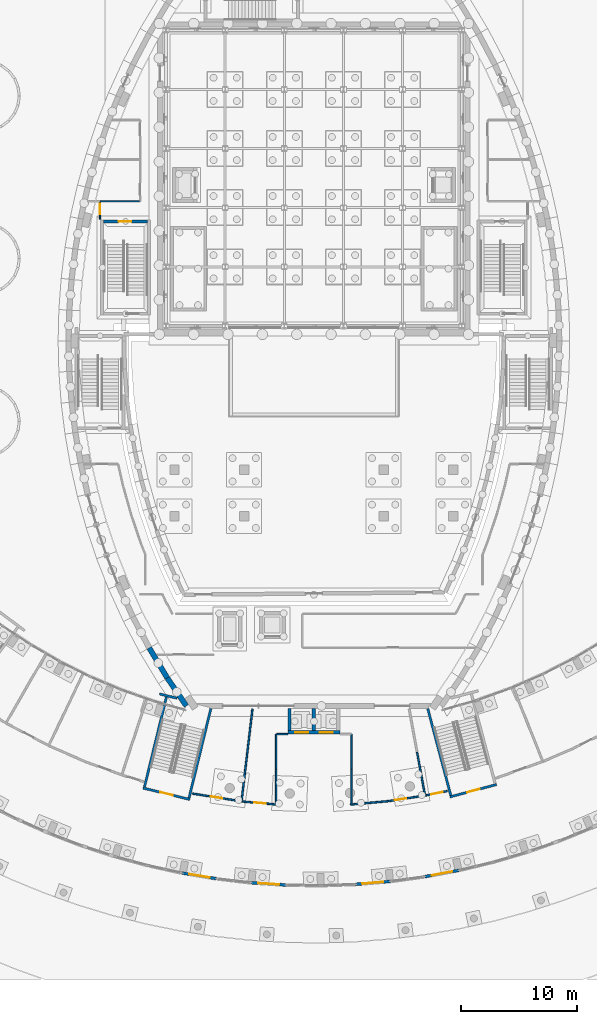
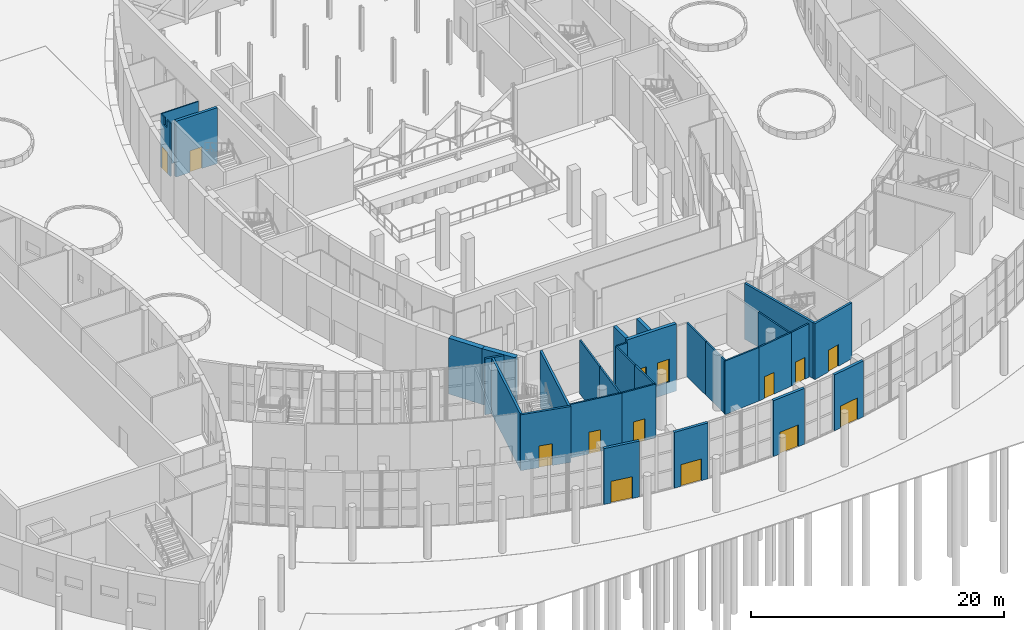
# One storey, part 47 of 82: 31 walls, 14 doors, 14 openings.
"""IFC4 building model written with IfcOpenShell, lengths in metres."""

from ifc_helpers import new_model, si_unit, direction, frame, frame_2d, origin, place, context, subcontext, project, spatial, polyline, rectangle, outline, extrude, material, layer, layer_set, type_object, element, fill, save


model = new_model("IFC4")

# Units and contexts
model_context = context("Model", 3, precision=1e-05, world=origin(), true_north=direction((0.0, 1.0)))
body_context = subcontext(model_context, "Body", "Model", "MODEL_VIEW")
ifc_project = project(units=[si_unit("LENGTHUNIT", "METRE"), si_unit("AREAUNIT", "SQUARE_METRE"), si_unit("VOLUMEUNIT", "CUBIC_METRE"), si_unit("PLANEANGLEUNIT", "RADIAN"), si_unit("MASSUNIT", "GRAM", prefix="KILO")], contexts=[model_context])

# Site, building, storey
site_placement = place(None, origin())
site = spatial("IfcSite", under=ifc_project, at=site_placement, CompositionType="ELEMENT")
building_placement = place(site_placement, origin())
building = spatial("IfcBuilding", under=site, at=building_placement, Name="Tide Square Theatres", CompositionType="ELEMENT")
storey_placement = place(building_placement, origin())
storey = spatial("IfcBuildingStorey", under=building, at=storey_placement, Name="L00", CompositionType="ELEMENT", Elevation=0.0)

# Wall
ifc_material_1 = material(Name="Gypsum board on steel studs", Category="steel")
ifc_layer_1 = layer(ifc_material_1, 0.10009765625)
ifc_layer_set_1 = layer_set([ifc_layer_1], Name="Gypsum board on steel studs")
wall_type_1 = type_object("IfcWallType", Name="Partition 100 thick", PredefinedType="PARTITIONING", material=ifc_layer_set_1)
wall_1_placement = place(storey_placement, frame((69.016845703125, 67.0, 0.0), z_axis=(0.0, 0.0, 1.0), x_axis=(-1.0, 0.0, 0.0)))
element("IfcWall", 1, at=wall_1_placement, inside=storey, type_object=wall_type_1, Name="Partition", PredefinedType="PARTITIONING", context=body_context, shape_type="SweptSolid", body=[
    extrude(rectangle(XDim=3.386962890625, YDim=0.10009765625, at=frame_2d((1.693359375, 0.0))), origin(), (0.0, 0.0, 1.0), 5.14990234375),
])

# Wall, opening, door
wall_2_placement = place(storey_placement, frame((65.60009765625, 66.97998046875, 0.0), z_axis=(0.0, 0.0, 1.0), x_axis=(0.0, -1.0, 0.0)))
wall_2 = element("IfcWall", 2, at=wall_2_placement, inside=storey, type_object=wall_type_1, Name="Partition", PredefinedType="PARTITIONING", context=body_context, shape_type="SweptSolid", body=[
    extrude(outline(polyline([(0.0, 0.0), (1.52001953125, 0.0), (1.52001953125, 5.14990234375), (0.987060546875, 5.14990234375), (0.985107421875, 4.419921875), (0.574951171875, 4.419921875), (0.572998046875, 5.14990234375), (0.0, 5.14990234375), (0.0, 0.0)])), frame((0.0, 0.050048828125, 0.0), z_axis=(0.0, -1.0, 0.0), x_axis=(1.0, 0.0, 0.0)), (0.0, 0.0, 1.0), 0.10009765625),
])
opening_1_placement = place(wall_2_placement, frame((0.199951171875, 0.0, 0.0)))
opening_1 = element("IfcOpeningElement", 3, at=opening_1_placement, cuts=wall_2, Name="Opening M00-27", PredefinedType="OPENING", context=body_context, shape_type="SweptSolid", body=[
    extrude(rectangle(XDim=0.89990234375, YDim=2.10009765625, at=frame_2d((0.449951171875, 1.050048828125))), frame((0.0, 0.06005859375, 0.0), z_axis=(0.0, -1.0, 0.0), x_axis=(1.0, 0.0, 0.0)), (0.0, 0.0, 1.0), 0.1201171875),
])
ifc_material_2 = material(Name="Hardwood timber", Category="wood")
door_type_1 = type_object("IfcDoorType", Name="Door 900 x 2100 single leaf", OperationType="NOTDEFINED", PredefinedType="DOOR", material=ifc_material_2)
door_1_placement = place(opening_1_placement, frame((0.89990234375, 0.0, 0.0), z_axis=(0.0, 0.0, 1.0), x_axis=(-1.0, 0.0, 0.0)))
door_1 = element("IfcDoor", 4, at=door_1_placement, inside=storey, type_object=door_type_1, Name="Company Management Office door", OperationType="SINGLE_SWING_RIGHT", OverallHeight=2.10009765625, OverallWidth=0.89990234375, PredefinedType="DOOR", context=body_context, shape_type="SweptSolid", body=[
    extrude(rectangle(XDim=0.89990234375, YDim=2.10009765625, at=frame_2d((0.449951171875, 1.050048828125))), frame((0.0, 0.02490234375, 0.0), z_axis=(0.0, -1.0, 0.0), x_axis=(1.0, 0.0, 0.0)), (0.0, 0.0, 1.0), 0.050048828125),
])
fill(opening_1, door_1)

# Walls
ifc_material_3 = material(Name="Concrete masonry block", Category="masonry")
ifc_layer_2 = layer(ifc_material_3, 0.139892578125)
ifc_layer_set_2 = layer_set([ifc_layer_2], Name="Concrete masonry block")
wall_type_2 = type_object("IfcWallType", Name="Partition 140 thick", PredefinedType="PARTITIONING", material=ifc_layer_set_2)
wall_3_placement = place(storey_placement, frame((78.71337890625, 23.317626953125, 0.0), z_axis=(0.0, 0.0, 1.0), x_axis=(-0.117524162316, -0.993070023348, 0.0)))
element("IfcWall", 5, at=wall_3_placement, inside=storey, type_object=wall_type_2, Name="Foyer room partition", PredefinedType="PARTITIONING", context=body_context, shape_type="SweptSolid", body=[
    extrude(rectangle(XDim=4.003173828125, YDim=0.139892578125, at=frame_2d((2.00146484375, 0.0))), origin(), (0.0, 0.0, 1.0), 5.179931640625),
])
wall_4_placement = place(storey_placement, frame((78.242919921875, 19.34228515625, 0.0), z_axis=(0.0, 0.0, 1.0), x_axis=(-0.117462752038, -0.993077288978, 0.0)))
element("IfcWall", 6, at=wall_4_placement, inside=storey, type_object=wall_type_2, Name="Foyer room partition", PredefinedType="PARTITIONING", context=body_context, shape_type="SweptSolid", body=[
    extrude(rectangle(XDim=3.94287109375, YDim=0.139892578125, at=frame_2d((1.971435546875, 0.0))), origin(), (0.0, 0.0, 1.0), 5.179931640625),
])
wall_5_placement = place(storey_placement, frame((92.87939453125, 19.59375, 0.0), z_axis=(0.0, 0.0, 1.0), x_axis=(0.18037858071, -0.983597258852, 0.0)))
element("IfcWall", 7, at=wall_5_placement, inside=storey, type_object=wall_type_2, Name="Foyer room partition", PredefinedType="PARTITIONING", context=body_context, shape_type="SweptSolid", body=[
    extrude(rectangle(XDim=3.72607421875, YDim=0.139892578125, at=frame_2d((1.863037109375, 0.0))), origin(), (0.0, 0.0, 1.0), 5.179931640625),
])
wall_6_placement = place(storey_placement, frame((80.75, 15.1630859375, 0.0), z_axis=(0.0, 0.0, 1.0), x_axis=(0.0, 1.0, 0.0)))
element("IfcWall", 8, at=wall_6_placement, inside=storey, type_object=wall_type_2, Name="Foyer room partition", PredefinedType="PARTITIONING", context=body_context, shape_type="SweptSolid", body=[
    extrude(rectangle(XDim=2.96728515625, YDim=0.139892578125, at=frame_2d((1.483642578125, 0.0))), origin(), (0.0, 0.0, 1.0), 5.179931640625),
])
wall_7_placement = place(storey_placement, frame((80.75, 18.13037109375, 0.0), z_axis=(0.0, 0.0, 1.0), x_axis=(0.0, 1.0, 0.0)))
element("IfcWall", 9, at=wall_7_placement, inside=storey, type_object=wall_type_2, Name="Foyer room partition", PredefinedType="PARTITIONING", context=body_context, shape_type="SweptSolid", body=[
    extrude(rectangle(XDim=3.02734375, YDim=0.139892578125, at=frame_2d((1.513671875, 0.0))), origin(), (0.0, 0.0, 1.0), 5.179931640625),
])
wall_8_placement = place(storey_placement, frame((87.25, 15.1630859375, 0.0), z_axis=(0.0, 0.0, 1.0), x_axis=(0.0, 1.0, 0.0)))
element("IfcWall", 10, at=wall_8_placement, inside=storey, type_object=wall_type_2, Name="Foyer room partition", PredefinedType="PARTITIONING", context=body_context, shape_type="SweptSolid", body=[
    extrude(rectangle(XDim=2.96728515625, YDim=0.139892578125, at=frame_2d((1.483642578125, 0.0))), origin(), (0.0, 0.0, 1.0), 5.179931640625),
])
wall_9_placement = place(storey_placement, frame((87.25, 18.13037109375, 0.0), z_axis=(0.0, 0.0, 1.0), x_axis=(0.0, 1.0, 0.0)))
element("IfcWall", 11, at=wall_9_placement, inside=storey, type_object=wall_type_2, Name="Foyer room partition", PredefinedType="PARTITIONING", context=body_context, shape_type="SweptSolid", body=[
    extrude(rectangle(XDim=3.02734375, YDim=0.139892578125, at=frame_2d((1.513671875, 0.0))), origin(), (0.0, 0.0, 1.0), 5.179931640625),
])
wall_10_placement = place(storey_placement, frame((80.800048828125, 21.15771484375, 0.0), z_axis=(0.0, 0.0, 1.0), x_axis=(1.0, 0.0, 0.0)))
element("IfcWall", 12, at=wall_10_placement, inside=storey, type_object=wall_type_2, Name="Foyer room partition", PredefinedType="PARTITIONING", context=body_context, shape_type="SweptSolid", body=[
    extrude(rectangle(XDim=0.949951171875, YDim=0.139892578125, at=frame_2d((0.47509765625, 0.0))), origin(), (0.0, 0.0, 1.0), 5.179931640625),
])

# Wall, opening, door
wall_11_placement = place(storey_placement, frame((73.554443359375, 16.03955078125, 0.0), z_axis=(0.0, 0.0, 1.0), x_axis=(0.987693268679, -0.156403347173, 0.0)))
wall_11 = element("IfcWall", 13, at=wall_11_placement, inside=storey, type_object=wall_type_2, Name="Foyer room wall", PredefinedType="PARTITIONING", context=body_context, shape_type="SweptSolid", body=[
    extrude(rectangle(XDim=4.380126953125, YDim=0.139892578125, at=frame_2d((2.18994140625, 0.0))), origin(), (0.0, 0.0, 1.0), 5.179931640625),
])
opening_2_placement = place(wall_11_placement, frame((1.590087890625, 0.0, 0.0)))
opening_2 = element("IfcOpeningElement", 14, at=opening_2_placement, cuts=wall_11, Name="Opening F00-21", PredefinedType="OPENING", context=body_context, shape_type="SweptSolid", body=[
    extrude(rectangle(XDim=1.0, YDim=2.10009765625, at=frame_2d((0.5, 1.050048828125))), frame((0.0, 0.079833984375, 0.0), z_axis=(0.0, -1.0, 0.0), x_axis=(1.0, 0.0, 0.0)), (0.0, 0.0, 1.0), 0.159912109375),
])
ifc_material_4 = material(Name="Hardwood timber", Category="wood")
door_type_2 = type_object("IfcDoorType", Name="Door 1000 x 2100 single leaf", OperationType="NOTDEFINED", PredefinedType="DOOR", material=ifc_material_4)
door_2_placement = place(opening_2_placement, origin())
door_2 = element("IfcDoor", 15, at=door_2_placement, inside=storey, type_object=door_type_2, Name="Ticket Hall and Box Office door", OperationType="SINGLE_SWING_RIGHT", OverallHeight=2.10009765625, OverallWidth=1.0, PredefinedType="DOOR", context=body_context, shape_type="SweptSolid", body=[
    extrude(rectangle(XDim=1.0, YDim=2.10009765625, at=frame_2d((0.5, 1.050048828125))), frame((0.0, 0.02490234375, 0.0), z_axis=(0.0, -1.0, 0.0), x_axis=(1.0, 0.0, 0.0)), (0.0, 0.0, 1.0), 0.050048828125),
])
fill(opening_2, door_2)

wall_12_placement = place(storey_placement, frame((77.900390625, 15.352294921875, 0.0), z_axis=(0.0, 0.0, 1.0), x_axis=(0.996183521579, -0.087283396667, 0.0)))
wall_12 = element("IfcWall", 16, at=wall_12_placement, inside=storey, type_object=wall_type_2, Name="Foyer room wall", PredefinedType="PARTITIONING", context=body_context, shape_type="SweptSolid", body=[
    extrude(rectangle(XDim=2.96484375, YDim=0.139892578125, at=frame_2d((1.482421875, 0.0))), origin(), (0.0, 0.0, 1.0), 5.179931640625),
])
opening_3_placement = place(wall_12_placement, frame((0.982421875, 0.0, 0.0)))
opening_3 = element("IfcOpeningElement", 17, at=opening_3_placement, cuts=wall_12, Name="Opening F00-22", PredefinedType="OPENING", context=body_context, shape_type="SweptSolid", body=[
    extrude(rectangle(XDim=1.0, YDim=2.10009765625, at=frame_2d((0.5, 1.050048828125))), frame((0.0, 0.079833984375, 0.0), z_axis=(0.0, -1.0, 0.0), x_axis=(1.0, 0.0, 0.0)), (0.0, 0.0, 1.0), 0.159912109375),
])
door_3_placement = place(opening_3_placement, origin())
door_3 = element("IfcDoor", 18, at=door_3_placement, inside=storey, type_object=door_type_2, Name="Accessible Toilet door", OperationType="SINGLE_SWING_RIGHT", OverallHeight=2.10009765625, OverallWidth=1.0, PredefinedType="DOOR", context=body_context, shape_type="SweptSolid", body=[
    extrude(rectangle(XDim=1.0, YDim=2.10009765625, at=frame_2d((0.5, 1.050048828125))), frame((0.0, 0.02490234375, 0.0), z_axis=(0.0, -1.0, 0.0), x_axis=(1.0, 0.0, 0.0)), (0.0, 0.0, 1.0), 0.050048828125),
])
fill(opening_3, door_3)

# Wall
wall_13_placement = place(storey_placement, frame((87.14599609375, 15.093505859375, 0.0), z_axis=(0.0, 0.0, 1.0), x_axis=(0.995913271916, 0.090314754169, 0.0)))
element("IfcWall", 19, at=wall_13_placement, inside=storey, type_object=wall_type_2, Name="Foyer room wall", PredefinedType="PARTITIONING", context=body_context, shape_type="SweptSolid", body=[
    extrude(rectangle(XDim=3.287109375, YDim=0.139892578125, at=frame_2d((1.6435546875, 0.0))), origin(), (0.0, 0.0, 1.0), 5.179931640625),
])

# Wall, opening, door
wall_14_placement = place(storey_placement, frame((90.419677734375, 15.390380859375, 0.0), z_axis=(0.0, 0.0, 1.0), x_axis=(0.988407735118, 0.151822755736, 0.0)))
wall_14 = element("IfcWall", 20, at=wall_14_placement, inside=storey, type_object=wall_type_2, Name="Foyer room wall", PredefinedType="PARTITIONING", context=body_context, shape_type="SweptSolid", body=[
    extrude(rectangle(XDim=3.286865234375, YDim=0.139892578125, at=frame_2d((1.6435546875, 0.0))), origin(), (0.0, 0.0, 1.0), 5.179931640625),
])
opening_4_placement = place(wall_14_placement, frame((0.54345703125, 0.0, 0.0)))
opening_4 = element("IfcOpeningElement", 21, at=opening_4_placement, cuts=wall_14, Name="Opening F00-23", PredefinedType="OPENING", context=body_context, shape_type="SweptSolid", body=[
    extrude(rectangle(XDim=1.0, YDim=2.10009765625, at=frame_2d((0.5, 1.050048828125))), frame((0.0, 0.079833984375, 0.0), z_axis=(0.0, -1.0, 0.0), x_axis=(1.0, 0.0, 0.0)), (0.0, 0.0, 1.0), 0.159912109375),
])
door_4_placement = place(opening_4_placement, origin())
door_4 = element("IfcDoor", 22, at=door_4_placement, inside=storey, type_object=door_type_2, Name="Theatre Shop door", OperationType="SINGLE_SWING_RIGHT", OverallHeight=2.10009765625, OverallWidth=1.0, PredefinedType="DOOR", context=body_context, shape_type="SweptSolid", body=[
    extrude(rectangle(XDim=1.0, YDim=2.10009765625, at=frame_2d((0.5, 1.050048828125))), frame((0.0, 0.02490234375, 0.0), z_axis=(0.0, -1.0, 0.0), x_axis=(1.0, 0.0, 0.0)), (0.0, 0.0, 1.0), 0.050048828125),
])
fill(opening_4, door_4)

wall_15_placement = place(storey_placement, frame((93.68798828125, 15.89306640625, 0.0), z_axis=(0.0, 0.0, 1.0), x_axis=(0.979888212279, 0.199547216058, 0.0)))
wall_15 = element("IfcWall", 23, at=wall_15_placement, inside=storey, type_object=wall_type_2, Name="Foyer room wall", PredefinedType="PARTITIONING", context=body_context, shape_type="SweptSolid", body=[
    extrude(rectangle(XDim=1.8193359375, YDim=0.139892578125, at=frame_2d((0.90966796875, 0.0))), origin(), (0.0, 0.0, 1.0), 5.179931640625),
])
opening_5_placement = place(wall_15_placement, frame((0.40966796875, 0.0, 0.0)))
opening_5 = element("IfcOpeningElement", 24, at=opening_5_placement, cuts=wall_15, Name="Opening F00-24", PredefinedType="OPENING", context=body_context, shape_type="SweptSolid", body=[
    extrude(rectangle(XDim=1.0, YDim=2.10009765625, at=frame_2d((0.5, 1.050048828125))), frame((0.0, 0.079833984375, 0.0), z_axis=(0.0, -1.0, 0.0), x_axis=(1.0, 0.0, 0.0)), (0.0, 0.0, 1.0), 0.159912109375),
])
door_5_placement = place(opening_5_placement, origin())
door_5 = element("IfcDoor", 25, at=door_5_placement, inside=storey, type_object=door_type_2, Name="Programme Counter and Merchandise door", OperationType="SINGLE_SWING_RIGHT", OverallHeight=2.10009765625, OverallWidth=1.0, PredefinedType="DOOR", context=body_context, shape_type="SweptSolid", body=[
    extrude(rectangle(XDim=1.0, YDim=2.10009765625, at=frame_2d((0.5, 1.050048828125))), frame((0.0, 0.02490234375, 0.0), z_axis=(0.0, -1.0, 0.0), x_axis=(1.0, 0.0, 0.0)), (0.0, 0.0, 1.0), 0.050048828125),
])
fill(opening_5, door_5)

# Walls
ifc_material_5 = material(Name="Concrete C40", Category="concrete")
ifc_layer_3 = layer(ifc_material_5, 0.449951171875)
ifc_layer_set_3 = layer_set([ifc_layer_3], Name="Concrete C40")
wall_type_3 = type_object("IfcWallType", Name="RC curved wall 450 thick", PredefinedType="SOLIDWALL", material=ifc_layer_set_3)
wall_16_placement = place(storey_placement, frame((69.830810546875, 28.57470703125, 0.0), z_axis=(0.0, 0.0, 1.0), x_axis=(0.515636119523, -0.856807675177, 0.0)))
element("IfcWall", 26, at=wall_16_placement, inside=storey, type_object=wall_type_3, Name="Main Theatre perimeter wall", PredefinedType="SOLIDWALL", context=body_context, shape_type="SweptSolid", body=[
    extrude(rectangle(XDim=3.021240234375, YDim=0.449951171875, at=frame_2d((1.5107421875, 0.0))), origin(), (0.0, 0.0, 1.0), 5.39990234375),
])
wall_17_placement = place(storey_placement, frame((71.388671875, 25.986083984375, 0.0), z_axis=(0.0, 0.0, 1.0), x_axis=(0.5629642644, -0.826481238147, 0.0)))
element("IfcWall", 27, at=wall_17_placement, inside=storey, type_object=wall_type_3, Name="Main Theatre perimeter wall", PredefinedType="SOLIDWALL", context=body_context, shape_type="SweptSolid", body=[
    extrude(rectangle(XDim=2.908203125, YDim=0.449951171875, at=frame_2d((1.4541015625, 0.0))), origin(), (0.0, 0.0, 1.0), 5.39990234375),
])

# Wall, opening, door
ifc_material_6 = material(Name="Concrete C40", Category="concrete")
ifc_layer_4 = layer(ifc_material_6, 0.199951171875)
ifc_layer_set_4 = layer_set([ifc_layer_4], Name="Concrete C40")
wall_type_4 = type_object("IfcWallType", Name="RC shear wall 200 thick", PredefinedType="SHEAR", material=ifc_layer_set_4)
wall_18_placement = place(storey_placement, frame((73.327880859375, 15.5341796875, 0.0), z_axis=(0.0, 0.0, 1.0), x_axis=(-0.97147374422, 0.237147136374, 0.0)))
wall_18 = element("IfcWall", 28, at=wall_18_placement, inside=storey, type_object=wall_type_4, Name="Exit stair F3 wall", PredefinedType="SHEAR", context=body_context, shape_type="SweptSolid", body=[
    extrude(rectangle(XDim=4.14990234375, YDim=0.199951171875, at=frame_2d((2.074951171875, 0.0))), origin(), (0.0, 0.0, 1.0), 5.39990234375),
])
opening_6_placement = place(wall_18_placement, frame((1.52490234375, 0.0, 0.0)))
opening_6 = element("IfcOpeningElement", 29, at=opening_6_placement, cuts=wall_18, Name="Opening F00-15", PredefinedType="OPENING", context=body_context, shape_type="SweptSolid", body=[
    extrude(rectangle(XDim=1.10009765625, YDim=2.10009765625, at=frame_2d((0.550048828125, 1.050048828125))), frame((0.0, 0.10986328125, 0.0), z_axis=(0.0, -1.0, 0.0), x_axis=(1.0, 0.0, 0.0)), (0.0, 0.0, 1.0), 0.219970703125),
])
ifc_material_7 = material(Name="Painted steel", Category="steel")
door_type_3 = type_object("IfcDoorType", Name="Door 1100 x 2100 single leaf", OperationType="NOTDEFINED", PredefinedType="DOOR", material=ifc_material_7)
door_6_placement = place(opening_6_placement, origin())
door_6 = element("IfcDoor", 30, at=door_6_placement, inside=storey, type_object=door_type_3, Name="Exit stair F3 door", OperationType="SINGLE_SWING_RIGHT", OverallHeight=2.10009765625, OverallWidth=1.10009765625, PredefinedType="DOOR", context=body_context, shape_type="SweptSolid", body=[
    extrude(rectangle(XDim=1.10009765625, YDim=2.10009765625, at=frame_2d((0.550048828125, 1.050048828125))), frame((0.0, 0.02490234375, 0.0), z_axis=(0.0, -1.0, 0.0), x_axis=(1.0, 0.0, 0.0)), (0.0, 0.0, 1.0), 0.050048828125),
])
fill(opening_6, door_6)

# Walls
wall_19_placement = place(storey_placement, frame((72.23193359375, 24.242431640625, 0.0), z_axis=(0.0, 0.0, 1.0), x_axis=(-0.971444715638, 0.237266020446, 0.0)))
element("IfcWall", 31, at=wall_19_placement, inside=storey, type_object=wall_type_4, Name="Exit stair F3 wall", PredefinedType="SHEAR", context=body_context, shape_type="SweptSolid", body=[
    extrude(rectangle(XDim=1.559814453125, YDim=0.199951171875, at=frame_2d((0.77978515625, 0.0))), origin(), (0.0, 0.0, 1.0), 5.39990234375),
])
wall_20_placement = place(storey_placement, frame((73.254638671875, 15.655029296875, 0.0), z_axis=(0.0, 0.0, 1.0), x_axis=(0.237142809453, 0.971474800458, 0.0)))
element("IfcWall", 32, at=wall_20_placement, inside=storey, type_object=wall_type_4, Name="Exit stair F3 wall", PredefinedType="SHEAR", context=body_context, shape_type="SweptSolid", body=[
    extrude(rectangle(XDim=7.919921875, YDim=0.199951171875, at=frame_2d((3.9599609375, 0.0))), origin(), (0.0, 0.0, 1.0), 5.39990234375),
])
wall_21_placement = place(storey_placement, frame((69.417236328125, 16.591796875, 0.0), z_axis=(0.0, 0.0, 1.0), x_axis=(0.2371535898, 0.971472168847, 0.0)))
element("IfcWall", 33, at=wall_21_placement, inside=storey, type_object=wall_type_4, Name="Exit stair F3 wall", PredefinedType="SHEAR", context=body_context, shape_type="SweptSolid", body=[
    extrude(rectangle(XDim=8.0, YDim=0.199951171875, at=frame_2d((4.0, 0.0))), origin(), (0.0, 0.0, 1.0), 5.39990234375),
])

# Wall, opening, door
wall_22_placement = place(storey_placement, frame((99.71826171875, 16.819091796875, 0.0), z_axis=(0.0, 0.0, 1.0), x_axis=(-0.966590417756, -0.256325894715, 0.0)))
wall_22 = element("IfcWall", 34, at=wall_22_placement, inside=storey, type_object=wall_type_4, Name="Exit stair F4 wall", PredefinedType="SHEAR", context=body_context, shape_type="SweptSolid", body=[
    extrude(rectangle(XDim=4.14990234375, YDim=0.199951171875, at=frame_2d((2.074951171875, 0.0))), origin(), (0.0, 0.0, 1.0), 5.39990234375),
])
opening_7_placement = place(wall_22_placement, frame((1.52490234375, 0.0, 0.0)))
opening_7 = element("IfcOpeningElement", 35, at=opening_7_placement, cuts=wall_22, Name="Opening F00-16", PredefinedType="OPENING", context=body_context, shape_type="SweptSolid", body=[
    extrude(rectangle(XDim=1.10009765625, YDim=2.10009765625, at=frame_2d((0.550048828125, 1.050048828125))), frame((0.0, 0.10986328125, 0.0), z_axis=(0.0, -1.0, 0.0), x_axis=(1.0, 0.0, 0.0)), (0.0, 0.0, 1.0), 0.219970703125),
])
door_7_placement = place(opening_7_placement, origin())
door_7 = element("IfcDoor", 36, at=door_7_placement, inside=storey, type_object=door_type_3, Name="Exit stair F4 door", OperationType="SINGLE_SWING_RIGHT", OverallHeight=2.10009765625, OverallWidth=1.10009765625, PredefinedType="DOOR", context=body_context, shape_type="SweptSolid", body=[
    extrude(rectangle(XDim=1.10009765625, YDim=2.10009765625, at=frame_2d((0.550048828125, 1.050048828125))), frame((0.0, 0.02490234375, 0.0), z_axis=(0.0, -1.0, 0.0), x_axis=(1.0, 0.0, 0.0)), (0.0, 0.0, 1.0), 0.050048828125),
])
fill(opening_7, door_7)

# Wall
wall_23_placement = place(storey_placement, frame((95.778076171875, 15.877685546875, 0.0), z_axis=(0.0, 0.0, 1.0), x_axis=(-0.256333531377, 0.966588392591, 0.0)))
element("IfcWall", 37, at=wall_23_placement, inside=storey, type_object=wall_type_4, Name="Exit stair F4 wall", PredefinedType="SHEAR", context=body_context, shape_type="SweptSolid", body=[
    extrude(rectangle(XDim=7.72998046875, YDim=0.199951171875, at=frame_2d((3.864990234375, 0.0))), origin(), (0.0, 0.0, 1.0), 5.39990234375),
])

# Wall, opening, door
ifc_material_8 = material(Name="Concrete C40", Category="concrete")
ifc_layer_5 = layer(ifc_material_8, 0.25)
ifc_layer_set_5 = layer_set([ifc_layer_5], Name="Concrete C40")
wall_type_5 = type_object("IfcWallType", Name="RC shear wall 250 thick", PredefinedType="SHEAR", material=ifc_layer_set_5)
wall_24_placement = place(storey_placement, frame((65.89990234375, 65.27490234375, 0.0), z_axis=(0.0, 0.0, 1.0), x_axis=(1.0, 0.0, 0.0)))
wall_24 = element("IfcWall", 38, at=wall_24_placement, inside=storey, type_object=wall_type_5, Name="Main Theatre West Stair shaft wall", PredefinedType="SHEAR", context=body_context, shape_type="SweptSolid", body=[
    extrude(rectangle(XDim=3.800048828125, YDim=0.25, at=frame_2d((1.89990234375, 0.0))), origin(), (0.0, 0.0, 1.0), 5.39990234375),
])
opening_8_placement = place(wall_24_placement, frame((1.300048828125, 0.0, 0.0)))
opening_8 = element("IfcOpeningElement", 39, at=opening_8_placement, cuts=wall_24, Name="Opening M00-02", PredefinedType="OPENING", context=body_context, shape_type="SweptSolid", body=[
    extrude(rectangle(XDim=1.10009765625, YDim=2.10009765625, at=frame_2d((0.550048828125, 1.050048828125))), frame((0.0, 0.135009765625, 0.0), z_axis=(0.0, -1.0, 0.0), x_axis=(1.0, 0.0, 0.0)), (0.0, 0.0, 1.0), 0.27001953125),
])
door_8_placement = place(opening_8_placement, origin())
door_8 = element("IfcDoor", 40, at=door_8_placement, inside=storey, type_object=door_type_3, Name="Main Theatre West Stair stair exit door", OperationType="SINGLE_SWING_RIGHT", OverallHeight=2.10009765625, OverallWidth=1.10009765625, PredefinedType="DOOR", context=body_context, shape_type="SweptSolid", body=[
    extrude(rectangle(XDim=1.10009765625, YDim=2.10009765625, at=frame_2d((0.550048828125, 1.050048828125))), frame((0.0, 0.02490234375, 0.0), z_axis=(0.0, -1.0, 0.0), x_axis=(1.0, 0.0, 0.0)), (0.0, 0.0, 1.0), 0.050048828125),
])
fill(opening_8, door_8)

wall_25_placement = place(storey_placement, frame((72.67529296875, 9.205810546875, 0.0), z_axis=(0.0, 0.0, 1.0), x_axis=(0.986371890278, -0.164531134044, 0.0)))
wall_25 = element("IfcWall", 41, at=wall_25_placement, inside=storey, type_object=wall_type_5, Name="Foyer entrance pier wall", PredefinedType="SHEAR", context=body_context, shape_type="SweptSolid", body=[
    extrude(rectangle(XDim=2.995849609375, YDim=0.25, at=frame_2d((1.498046875, 0.0))), origin(), (0.0, 0.0, 1.0), 5.39990234375),
])
opening_9_placement = place(wall_25_placement, frame((0.597900390625, 0.0, 0.0)))
opening_9 = element("IfcOpeningElement", 42, at=opening_9_placement, cuts=wall_25, Name="Opening F00-04", PredefinedType="OPENING", context=body_context, shape_type="SweptSolid", body=[
    extrude(rectangle(XDim=1.800048828125, YDim=2.10009765625, at=frame_2d((0.89990234375, 1.050048828125))), frame((0.0, 0.135009765625, 0.0), z_axis=(0.0, -1.0, 0.0), x_axis=(1.0, 0.0, 0.0)), (0.0, 0.0, 1.0), 0.27001953125),
])
ifc_material_9 = material(Name="Hardwood timber", Category="wood")
door_type_4 = type_object("IfcDoorType", Name="Door 1800 x 2100 double leaf", OperationType="DOUBLE_DOOR_SINGLE_SWING", PredefinedType="DOOR", material=ifc_material_9)
door_9_placement = place(opening_9_placement, frame((1.800048828125, 0.0, 0.0), z_axis=(0.0, 0.0, 1.0), x_axis=(-1.0, 0.0, 0.0)))
door_9 = element("IfcDoor", 43, at=door_9_placement, inside=storey, type_object=door_type_4, Name="Foyer entrance door", OperationType="DOUBLE_DOOR_SINGLE_SWING", OverallHeight=2.10009765625, OverallWidth=1.800048828125, PredefinedType="DOOR", context=body_context, shape_type="SweptSolid", body=[
    extrude(rectangle(XDim=1.800048828125, YDim=2.10009765625, at=frame_2d((0.89990234375, 1.050048828125))), frame((0.0, 0.02490234375, 0.0), z_axis=(0.0, -1.0, 0.0), x_axis=(1.0, 0.0, 0.0)), (0.0, 0.0, 1.0), 0.050048828125),
])
fill(opening_9, door_9)

wall_26_placement = place(storey_placement, frame((78.6064453125, 8.368408203125, 0.0), z_axis=(0.0, 0.0, 1.0), x_axis=(0.99787826494, -0.065107360255, 0.0)))
wall_26 = element("IfcWall", 44, at=wall_26_placement, inside=storey, type_object=wall_type_5, Name="Foyer entrance pier wall", PredefinedType="SHEAR", context=body_context, shape_type="SweptSolid", body=[
    extrude(rectangle(XDim=2.99609375, YDim=0.25, at=frame_2d((1.498046875, 0.0))), origin(), (0.0, 0.0, 1.0), 5.39990234375),
])
opening_10_placement = place(wall_26_placement, frame((0.597900390625, 0.0, 0.0)))
opening_10 = element("IfcOpeningElement", 45, at=opening_10_placement, cuts=wall_26, Name="Opening F00-05", PredefinedType="OPENING", context=body_context, shape_type="SweptSolid", body=[
    extrude(rectangle(XDim=1.800048828125, YDim=2.10009765625, at=frame_2d((0.89990234375, 1.050048828125))), frame((0.0, 0.135009765625, 0.0), z_axis=(0.0, -1.0, 0.0), x_axis=(1.0, 0.0, 0.0)), (0.0, 0.0, 1.0), 0.27001953125),
])
door_10_placement = place(opening_10_placement, frame((1.800048828125, 0.0, 0.0), z_axis=(0.0, 0.0, 1.0), x_axis=(-1.0, 0.0, 0.0)))
door_10 = element("IfcDoor", 46, at=door_10_placement, inside=storey, type_object=door_type_4, Name="Foyer entrance door", OperationType="DOUBLE_DOOR_SINGLE_SWING", OverallHeight=2.10009765625, OverallWidth=1.800048828125, PredefinedType="DOOR", context=body_context, shape_type="SweptSolid", body=[
    extrude(rectangle(XDim=1.800048828125, YDim=2.10009765625, at=frame_2d((0.89990234375, 1.050048828125))), frame((0.0, 0.02490234375, 0.0), z_axis=(0.0, -1.0, 0.0), x_axis=(1.0, 0.0, 0.0)), (0.0, 0.0, 1.0), 0.050048828125),
])
fill(opening_10, door_10)

wall_27_placement = place(storey_placement, frame((87.5859375, 8.232421875, 0.0), z_axis=(0.0, 0.0, 1.0), x_axis=(0.996388331705, 0.08491344088, 0.0)))
wall_27 = element("IfcWall", 47, at=wall_27_placement, inside=storey, type_object=wall_type_5, Name="Foyer entrance pier wall", PredefinedType="SHEAR", context=body_context, shape_type="SweptSolid", body=[
    extrude(rectangle(XDim=2.995849609375, YDim=0.25, at=frame_2d((1.498046875, 0.0))), origin(), (0.0, 0.0, 1.0), 5.39990234375),
])
opening_11_placement = place(wall_27_placement, frame((0.597900390625, 0.0, 0.0)))
opening_11 = element("IfcOpeningElement", 48, at=opening_11_placement, cuts=wall_27, Name="Opening F00-06", PredefinedType="OPENING", context=body_context, shape_type="SweptSolid", body=[
    extrude(rectangle(XDim=1.800048828125, YDim=2.10009765625, at=frame_2d((0.89990234375, 1.050048828125))), frame((0.0, 0.135009765625, 0.0), z_axis=(0.0, -1.0, 0.0), x_axis=(1.0, 0.0, 0.0)), (0.0, 0.0, 1.0), 0.27001953125),
])
door_11_placement = place(opening_11_placement, frame((1.800048828125, 0.0, 0.0), z_axis=(0.0, 0.0, 1.0), x_axis=(-1.0, 0.0, 0.0)))
door_11 = element("IfcDoor", 49, at=door_11_placement, inside=storey, type_object=door_type_4, Name="Foyer entrance door", OperationType="DOUBLE_DOOR_SINGLE_SWING", OverallHeight=2.10009765625, OverallWidth=1.800048828125, PredefinedType="DOOR", context=body_context, shape_type="SweptSolid", body=[
    extrude(rectangle(XDim=1.800048828125, YDim=2.10009765625, at=frame_2d((0.89990234375, 1.050048828125))), frame((0.0, 0.02490234375, 0.0), z_axis=(0.0, -1.0, 0.0), x_axis=(1.0, 0.0, 0.0)), (0.0, 0.0, 1.0), 0.050048828125),
])
fill(opening_11, door_11)

wall_28_placement = place(storey_placement, frame((93.539794921875, 8.889892578125, 0.0), z_axis=(0.0, 0.0, 1.0), x_axis=(0.982925651783, 0.184003160481, 0.0)))
wall_28 = element("IfcWall", 50, at=wall_28_placement, inside=storey, type_object=wall_type_5, Name="Foyer entrance pier wall", PredefinedType="SHEAR", context=body_context, shape_type="SweptSolid", body=[
    extrude(rectangle(XDim=2.99609375, YDim=0.25, at=frame_2d((1.498046875, 0.0))), origin(), (0.0, 0.0, 1.0), 5.39990234375),
])
opening_12_placement = place(wall_28_placement, frame((0.597900390625, 0.0, 0.0)))
opening_12 = element("IfcOpeningElement", 51, at=opening_12_placement, cuts=wall_28, Name="Opening F00-07", PredefinedType="OPENING", context=body_context, shape_type="SweptSolid", body=[
    extrude(rectangle(XDim=1.800048828125, YDim=2.10009765625, at=frame_2d((0.89990234375, 1.050048828125))), frame((0.0, 0.135009765625, 0.0), z_axis=(0.0, -1.0, 0.0), x_axis=(1.0, 0.0, 0.0)), (0.0, 0.0, 1.0), 0.27001953125),
])
door_12_placement = place(opening_12_placement, frame((1.800048828125, 0.0, 0.0), z_axis=(0.0, 0.0, 1.0), x_axis=(-1.0, 0.0, 0.0)))
door_12 = element("IfcDoor", 52, at=door_12_placement, inside=storey, type_object=door_type_4, Name="Foyer entrance door", OperationType="DOUBLE_DOOR_SINGLE_SWING", OverallHeight=2.10009765625, OverallWidth=1.800048828125, PredefinedType="DOOR", context=body_context, shape_type="SweptSolid", body=[
    extrude(rectangle(XDim=1.800048828125, YDim=2.10009765625, at=frame_2d((0.89990234375, 1.050048828125))), frame((0.0, 0.02490234375, 0.0), z_axis=(0.0, -1.0, 0.0), x_axis=(1.0, 0.0, 0.0)), (0.0, 0.0, 1.0), 0.050048828125),
])
fill(opening_12, door_12)

# Walls
ifc_material_10 = material(Name="Concrete C40", Category="concrete")
ifc_layer_6 = layer(ifc_material_10, 0.300048828125)
ifc_layer_set_6 = layer_set([ifc_layer_6], Name="Concrete C40")
wall_type_6 = type_object("IfcWallType", Name="RC shear wall 300 thick", PredefinedType="SHEAR", material=ifc_layer_set_6)
for number, where, z_axis, x_axis, name in (
    (53, (81.89990234375, 21.45751953125, -1.10009765625), (0.0, 0.0, 1.0), (0.0, 1.0, 0.0), "Lift shaft wall"),
    (54, (84.0, 21.45751953125, -1.10009765625), (0.0, 0.0, 1.0), (0.0, 1.0, 0.0), "Lift shaft wall"),
):
    element("IfcWall", number, at=place(storey_placement, frame(where, z_axis=z_axis, x_axis=x_axis)), inside=storey, type_object=wall_type_6, Name=name, PredefinedType="SHEAR", context=body_context, shape_type="SweptSolid", body=[
        extrude(rectangle(XDim=1.900146484375, YDim=0.300048828125, at=frame_2d((0.9501953125, 0.0))), origin(), (0.0, 0.0, 1.0), 6.5),
    ])

# Wall, openings, doors
wall_29_placement = place(storey_placement, frame((81.75, 21.3076171875, -1.10009765625), z_axis=(0.0, 0.0, 1.0), x_axis=(1.0, 0.0, 0.0)))
wall_29 = element("IfcWall", 55, at=wall_29_placement, inside=storey, type_object=wall_type_6, Name="Lift shaft front wall", PredefinedType="SHEAR", context=body_context, shape_type="SweptSolid", body=[
    extrude(rectangle(XDim=4.5, YDim=0.300048828125, at=frame_2d((2.25, 0.0))), origin(), (0.0, 0.0, 1.0), 6.5),
])
opening_13_placement = place(wall_29_placement, frame((0.64990234375, 0.0, 1.10009765625)))
opening_13 = element("IfcOpeningElement", 56, at=opening_13_placement, cuts=wall_29, Name="Opening LD-L00-1", PredefinedType="OPENING", context=body_context, shape_type="SweptSolid", body=[
    extrude(rectangle(XDim=1.10009765625, YDim=2.199951171875, at=frame_2d((0.550048828125, 1.10009765625))), frame((0.0, 0.159912109375, 0.0), z_axis=(0.0, -1.0, 0.0), x_axis=(1.0, 0.0, 0.0)), (0.0, 0.0, 1.0), 0.320068359375),
])
opening_14_placement = place(wall_29_placement, frame((2.75, 0.0, 1.10009765625)))
opening_14 = element("IfcOpeningElement", 57, at=opening_14_placement, cuts=wall_29, Name="Opening LD-L00-2", PredefinedType="OPENING", context=body_context, shape_type="SweptSolid", body=[
    extrude(rectangle(XDim=1.10009765625, YDim=2.199951171875, at=frame_2d((0.550048828125, 1.10009765625))), frame((0.0, 0.159912109375, 0.0), z_axis=(0.0, -1.0, 0.0), x_axis=(1.0, 0.0, 0.0)), (0.0, 0.0, 1.0), 0.320068359375),
])
ifc_material_11 = material(Name="Painted steel", Category="steel")
door_type_5 = type_object("IfcDoorType", Name="Door 1100 x 2200 sliding", OperationType="SLIDING_TO_LEFT", PredefinedType="DOOR", material=ifc_material_11)
door_13_placement = place(opening_13_placement, origin())
door_13 = element("IfcDoor", 58, at=door_13_placement, inside=storey, type_object=door_type_5, Name="Lift 1 landing door", OperationType="SLIDING_TO_LEFT", OverallHeight=2.199951171875, OverallWidth=1.10009765625, PredefinedType="DOOR", context=body_context, shape_type="SweptSolid", body=[
    extrude(rectangle(XDim=1.10009765625, YDim=2.199951171875, at=frame_2d((0.550048828125, 1.10009765625))), frame((0.0, 0.02490234375, 0.0), z_axis=(0.0, -1.0, 0.0), x_axis=(1.0, 0.0, 0.0)), (0.0, 0.0, 1.0), 0.050048828125),
])
fill(opening_13, door_13)
door_14_placement = place(opening_14_placement, origin())
door_14 = element("IfcDoor", 59, at=door_14_placement, inside=storey, type_object=door_type_5, Name="Lift 2 landing door", OperationType="SLIDING_TO_LEFT", OverallHeight=2.199951171875, OverallWidth=1.10009765625, PredefinedType="DOOR", context=body_context, shape_type="SweptSolid", body=[
    extrude(rectangle(XDim=1.10009765625, YDim=2.199951171875, at=frame_2d((0.550048828125, 1.10009765625))), frame((0.0, 0.02490234375, 0.0), z_axis=(0.0, -1.0, 0.0), x_axis=(1.0, 0.0, 0.0)), (0.0, 0.0, 1.0), 0.050048828125),
])
fill(opening_14, door_14)

save(model, "model.ifc")
